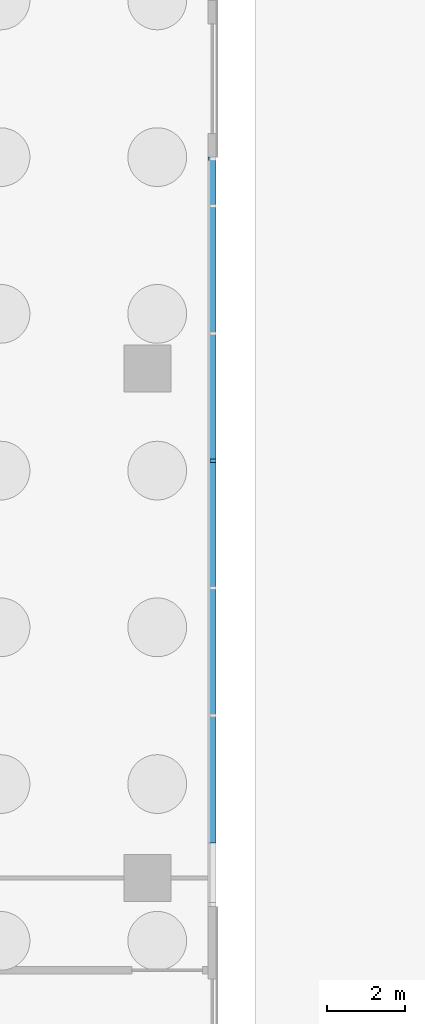
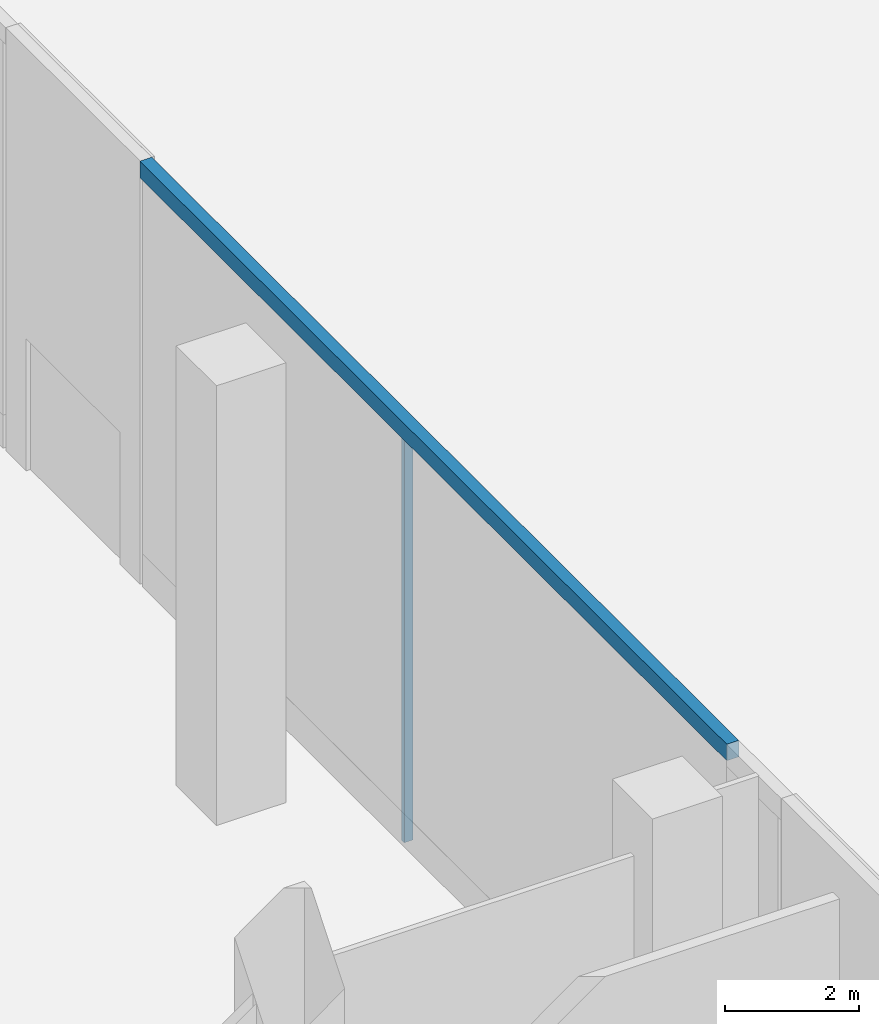
# One storey, part 9 of 27: 2 members, 1 element without a shape of its own.
"""IFC4 building model written with IfcOpenShell, lengths in metres."""

from ifc_helpers import new_model, si_unit, direction, frame, origin, origin_2d, place, context, subcontext, project, spatial, polyline, rectangle, outline, extrude, source, transform, mapped, material, layer, layer_set, material_profile, profile_set, type_object, element, aggregate, save


model = new_model("IFC4")

# Units and contexts
model_context = context("Model", 3, precision=1e-05, world=origin(), true_north=direction((0.0, 1.0)))
body_context = subcontext(model_context, "Body", "Model", "MODEL_VIEW")
ifc_project = project(units=[si_unit("LENGTHUNIT", "METRE"), si_unit("AREAUNIT", "SQUARE_METRE"), si_unit("VOLUMEUNIT", "CUBIC_METRE"), si_unit("PLANEANGLEUNIT", "RADIAN"), si_unit("MASSUNIT", "GRAM", prefix="KILO")], contexts=[model_context])

# Site, building, storey
site_placement = place(None, origin())
site = spatial("IfcSite", under=ifc_project, at=site_placement, CompositionType="ELEMENT")
building_placement = place(site_placement, origin())
building = spatial("IfcBuilding", under=site, at=building_placement, Name="Trellis Farm Tower", CompositionType="ELEMENT")
storey_placement = place(building_placement, origin())
storey = spatial("IfcBuildingStorey", under=building, at=storey_placement, Name="L00", CompositionType="ELEMENT", Elevation=0.0)

# Curtain wall, members
ifc_material_1 = material(Name="Aluminium and glass curtain wall", Category="aluminium")
ifc_layer_1 = layer(ifc_material_1, 0.201904296875)
ifc_layer_set_1 = layer_set([ifc_layer_1], Name="SHOPFRONT CURTAIN WALL CW2")
curtain_wall_type = type_object("IfcCurtainWallType", Name="SHOPFRONT CURTAIN WALL CW2", PredefinedType="NOTDEFINED", material=ifc_layer_set_1)
curtain_wall_placement = place(storey_placement, origin())
curtain_wall = element("IfcCurtainWall", 1, at=curtain_wall_placement, inside=storey, type_object=curtain_wall_type, Name="CW2 003", PredefinedType="NOTDEFINED")
ifc_material_2 = material(Name="Aluminium extrusion 6063-T6", Category="aluminium")
ifc_layer_2 = layer(ifc_material_2, 0.205078125)
ifc_layer_set_2 = layer_set([ifc_layer_2], Name="Aluminium extrusion 6063-T6")
member_type_1 = type_object("IfcMemberType", Name="CW2 TRANSOM 205x300", PredefinedType="USERDEFINED", material=ifc_layer_set_2)
member_1_placement = place(storey_placement, frame((0.0, 0.0, 7.39990234375)))
member_1 = element("IfcMember", 2, at=member_1_placement, type_object=member_type_1, Name="TR2 003", ObjectType="TRANSOM", PredefinedType="USERDEFINED", context=body_context, shape_type="SweptSolid", body=[
    extrude(outline(polyline([(45.5, 6.5), (45.5, 24.0), (45.294921875, 24.0), (45.294921875, 6.5), (45.5, 6.5)])), origin(), (0.0, 0.0, 1.0), 0.300048828125),
])
ifc_material_profile = material_profile(ifc_material_2, rectangle(XDim=0.080078125, YDim=0.14990234375, at=origin_2d()), Name="MULLION 80x150")
ifc_profile_set = profile_set([ifc_material_profile], Name="Aluminium extrusion 6063-T6")
member_type_2 = type_object("IfcMemberType", Name="CW2 MULLION 80x150", PredefinedType="MULLION", material=ifc_profile_set)
shared_shape = source(origin(), body_context, "Body", "SweptSolid", [
    extrude(rectangle(XDim=0.080078125, YDim=0.14990234375, at=origin_2d()), origin(), (0.0, 0.0, 1.0), 7.39990234375),
])
member_2_placement = place(storey_placement, frame((45.425048828125, 16.25, 0.0), z_axis=(0.0, 0.0, 1.0), x_axis=(0.0, 1.0, 0.0)))
member_2 = element("IfcMember", 3, at=member_2_placement, type_object=member_type_2, Name="MU2 003-03", PredefinedType="MULLION", context=body_context, shape_type="MappedRepresentation", body=[
    mapped(shared_shape, transform((0.0, 0.0, 0.0))),
])
aggregate(curtain_wall, [member_2, member_1])

save(model, "model.ifc")
